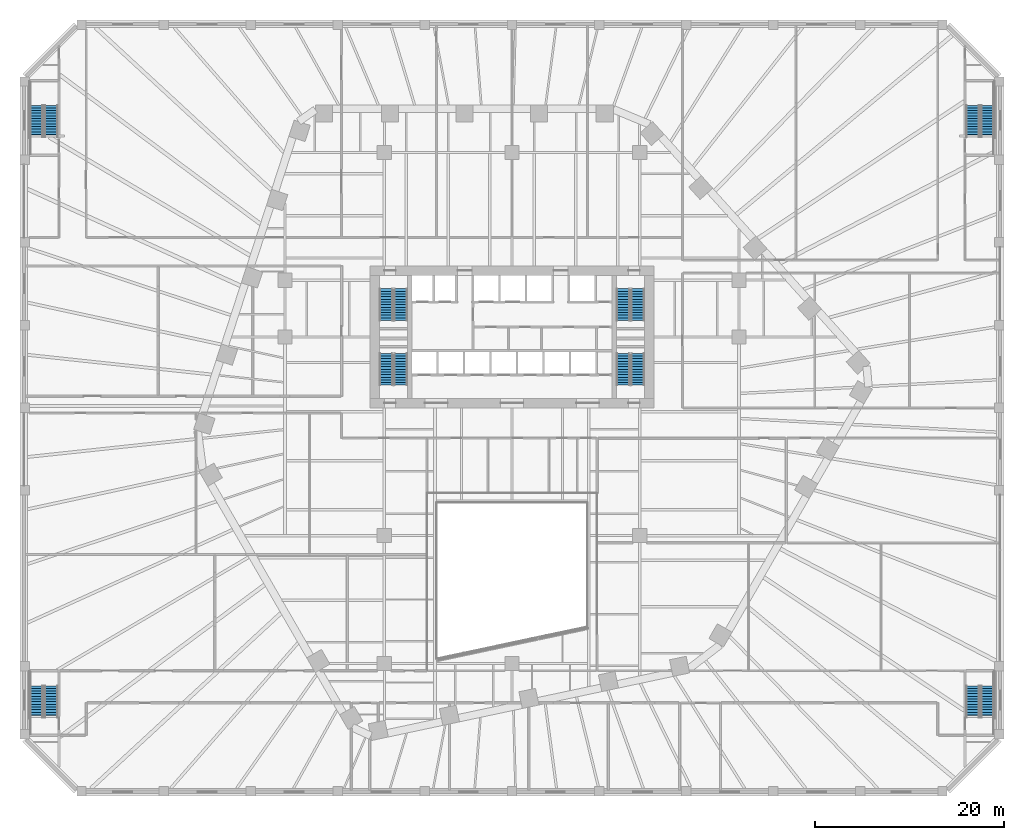
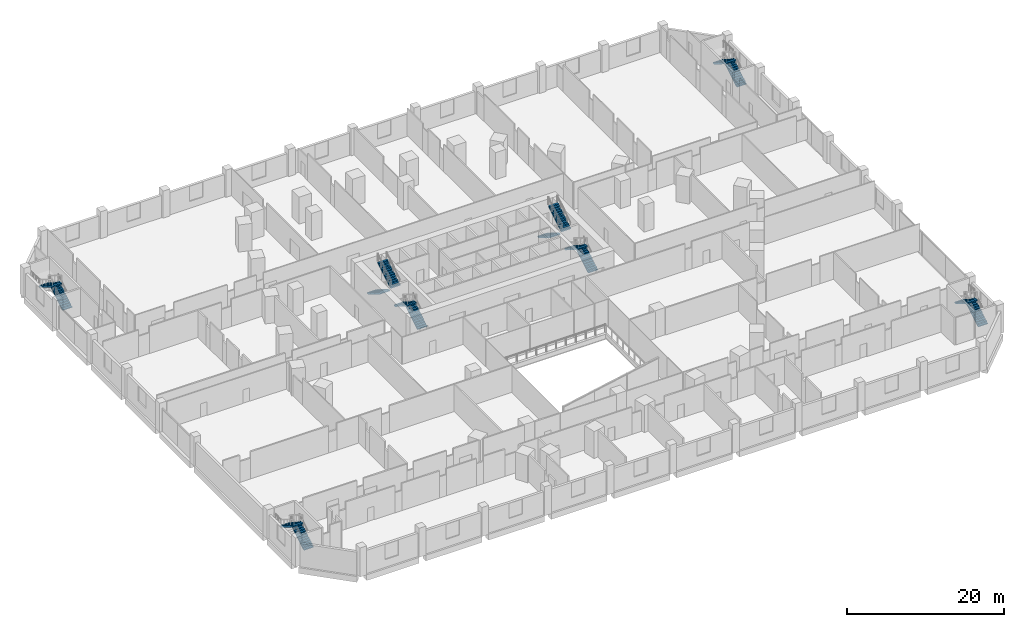
# One storey, part 24 of 29: 16 stair flights, 8 elements without a shape of their own.
"""IFC4 building model written with IfcOpenShell, lengths in metres."""

from ifc_helpers import new_model, si_unit, direction, frame, origin, place, context, subcontext, project, spatial, polyline, outline, extrude, material, type_object, element, aggregate, save


model = new_model("IFC4")

# Units and contexts
model_context = context("Model", 3, precision=1e-05, world=origin(), true_north=direction((0.0, 1.0)))
body_context = subcontext(model_context, "Body", "Model", "MODEL_VIEW")
ifc_project = project(units=[si_unit("LENGTHUNIT", "METRE"), si_unit("AREAUNIT", "SQUARE_METRE"), si_unit("VOLUMEUNIT", "CUBIC_METRE"), si_unit("PLANEANGLEUNIT", "RADIAN"), si_unit("MASSUNIT", "GRAM", prefix="KILO")], contexts=[model_context])

# Site, building, storey
site_placement = place(None, origin())
site = spatial("IfcSite", under=ifc_project, at=site_placement, CompositionType="ELEMENT")
building_placement = place(site_placement, origin())
building = spatial("IfcBuilding", under=site, at=building_placement, Name="Isthmus Gate Tower", CompositionType="ELEMENT")
storey_placement = place(building_placement, frame((0.0, 0.0, 27.0)))
storey = spatial("IfcBuildingStorey", under=building, at=storey_placement, Name="L04", CompositionType="ELEMENT", Elevation=27.0)

# Stair, stair flights
ifc_material_1 = material(Name="Concrete f'c 40 MPa", Category="concrete")
stair_type_1 = type_object("IfcStairType", Name="Podium exit stair 1400 wide flights", PredefinedType="HALF_TURN_STAIR", material=ifc_material_1)
stair_1_placement = place(storey_placement, origin())
stair_1 = element("IfcStair", 1, at=stair_1_placement, inside=storey, type_object=stair_type_1, Name="L04 Podium Exit Stair ST3", PredefinedType="HALF_TURN_STAIR")
ifc_material_2 = material(Name="Concrete f'c 40 MPa", Category="concrete")
stair_flight_type_1 = type_object("IfcStairFlightType", Name="Podium stair flight 1400", PredefinedType="STRAIGHT", material=ifc_material_2)
stair_flight_1_placement = place(storey_placement, frame((-48.699951171875, -32.72509765625, 0.0), z_axis=(0.0, 0.0, 1.0), x_axis=(0.0, 1.0, 0.0)))
stair_flight_1 = element("IfcStairFlight", 2, at=stair_flight_1_placement, type_object=stair_flight_type_1, Name="ST3 flight 1", NumberOfRisers=13, NumberOfTreads=12, PredefinedType="STRAIGHT", RiserHeight=0.173076923, TreadLength=0.28, context=body_context, shape_type="SweptSolid", body=[
    extrude(outline(polyline([(0.0, 0.0), (0.0, 0.173095703125), (0.280029296875, 0.173095703125), (0.280029296875, 0.34619140625), (0.56005859375, 0.34619140625), (0.56005859375, 0.519287109375), (0.840087890625, 0.519287109375), (0.840087890625, 0.6923828125), (1.1201171875, 0.6923828125), (1.1201171875, 0.865478515625), (1.39990234375, 0.865478515625), (1.39990234375, 1.03857421875), (1.679931640625, 1.03857421875), (1.679931640625, 1.21142578125), (1.9599609375, 1.21142578125), (1.9599609375, 1.384521484375), (2.239990234375, 1.384521484375), (2.239990234375, 1.5576171875), (2.52001953125, 1.5576171875), (2.52001953125, 1.730712890625), (2.800048828125, 1.730712890625), (2.800048828125, 1.90380859375), (3.080078125, 1.90380859375), (3.080078125, 2.076904296875), (3.360107421875, 2.076904296875), (3.360107421875, 2.25), (3.360107421875, 1.900634765625), (0.28515625, 0.0), (0.0, 0.0)])), frame((0.0, 0.699951171875, 0.0), z_axis=(0.0, -1.0, 0.0), x_axis=(1.0, 0.0, 0.0)), (0.0, 0.0, 1.0), 1.39990234375),
])
stair_flight_2_placement = place(storey_placement, frame((-50.25, -29.364990234375, 2.25), z_axis=(0.0, 0.0, 1.0), x_axis=(0.0, -1.0, 0.0)))
stair_flight_2 = element("IfcStairFlight", 3, at=stair_flight_2_placement, type_object=stair_flight_type_1, Name="ST3 flight 2", NumberOfRisers=13, NumberOfTreads=12, PredefinedType="STRAIGHT", RiserHeight=0.173076923, TreadLength=0.28, context=body_context, shape_type="SweptSolid", body=[
    extrude(outline(polyline([(0.0, 0.0), (0.0, 0.173095703125), (0.280029296875, 0.173095703125), (0.280029296875, 0.34619140625), (0.56005859375, 0.34619140625), (0.56005859375, 0.519287109375), (0.840087890625, 0.519287109375), (0.840087890625, 0.6923828125), (1.1201171875, 0.6923828125), (1.1201171875, 0.865478515625), (1.39990234375, 0.865478515625), (1.39990234375, 1.03857421875), (1.679931640625, 1.03857421875), (1.679931640625, 1.21142578125), (1.9599609375, 1.21142578125), (1.9599609375, 1.384521484375), (2.239990234375, 1.384521484375), (2.239990234375, 1.5576171875), (2.52001953125, 1.5576171875), (2.52001953125, 1.730712890625), (2.800048828125, 1.730712890625), (2.800048828125, 1.90380859375), (3.080078125, 1.90380859375), (3.080078125, 2.076904296875), (3.360107421875, 2.076904296875), (3.360107421875, 2.25), (3.360107421875, 1.900634765625), (0.28515625, 0.0), (0.0, 0.0)])), frame((0.0, 0.699951171875, 0.0), z_axis=(0.0, -1.0, 0.0), x_axis=(1.0, 0.0, 0.0)), (0.0, 0.0, 1.0), 1.39990234375),
])
aggregate(stair_1, [stair_flight_1, stair_flight_2])

stair_2_placement = place(storey_placement, origin())
stair_2 = element("IfcStair", 4, at=stair_2_placement, inside=storey, type_object=stair_type_1, Name="L04 Podium Exit Stair ST4", PredefinedType="HALF_TURN_STAIR")
stair_flight_3_placement = place(storey_placement, frame((50.25, -32.72509765625, 0.0), z_axis=(0.0, 0.0, 1.0), x_axis=(0.0, 1.0, 0.0)))
stair_flight_3 = element("IfcStairFlight", 5, at=stair_flight_3_placement, type_object=stair_flight_type_1, Name="ST4 flight 1", NumberOfRisers=13, NumberOfTreads=12, PredefinedType="STRAIGHT", RiserHeight=0.173076923, TreadLength=0.28, context=body_context, shape_type="SweptSolid", body=[
    extrude(outline(polyline([(0.0, 0.0), (0.0, 0.173095703125), (0.280029296875, 0.173095703125), (0.280029296875, 0.34619140625), (0.56005859375, 0.34619140625), (0.56005859375, 0.519287109375), (0.840087890625, 0.519287109375), (0.840087890625, 0.6923828125), (1.1201171875, 0.6923828125), (1.1201171875, 0.865478515625), (1.39990234375, 0.865478515625), (1.39990234375, 1.03857421875), (1.679931640625, 1.03857421875), (1.679931640625, 1.21142578125), (1.9599609375, 1.21142578125), (1.9599609375, 1.384521484375), (2.239990234375, 1.384521484375), (2.239990234375, 1.5576171875), (2.52001953125, 1.5576171875), (2.52001953125, 1.730712890625), (2.800048828125, 1.730712890625), (2.800048828125, 1.90380859375), (3.080078125, 1.90380859375), (3.080078125, 2.076904296875), (3.360107421875, 2.076904296875), (3.360107421875, 2.25), (3.360107421875, 1.900634765625), (0.28515625, 0.0), (0.0, 0.0)])), frame((0.0, 0.699951171875, 0.0), z_axis=(0.0, -1.0, 0.0), x_axis=(1.0, 0.0, 0.0)), (0.0, 0.0, 1.0), 1.39990234375),
])
stair_flight_4_placement = place(storey_placement, frame((48.699951171875, -29.364990234375, 2.25), z_axis=(0.0, 0.0, 1.0), x_axis=(0.0, -1.0, 0.0)))
stair_flight_4 = element("IfcStairFlight", 6, at=stair_flight_4_placement, type_object=stair_flight_type_1, Name="ST4 flight 2", NumberOfRisers=13, NumberOfTreads=12, PredefinedType="STRAIGHT", RiserHeight=0.173076923, TreadLength=0.28, context=body_context, shape_type="SweptSolid", body=[
    extrude(outline(polyline([(0.0, 0.0), (0.0, 0.173095703125), (0.280029296875, 0.173095703125), (0.280029296875, 0.34619140625), (0.56005859375, 0.34619140625), (0.56005859375, 0.519287109375), (0.840087890625, 0.519287109375), (0.840087890625, 0.6923828125), (1.1201171875, 0.6923828125), (1.1201171875, 0.865478515625), (1.39990234375, 0.865478515625), (1.39990234375, 1.03857421875), (1.679931640625, 1.03857421875), (1.679931640625, 1.21142578125), (1.9599609375, 1.21142578125), (1.9599609375, 1.384521484375), (2.239990234375, 1.384521484375), (2.239990234375, 1.5576171875), (2.52001953125, 1.5576171875), (2.52001953125, 1.730712890625), (2.800048828125, 1.730712890625), (2.800048828125, 1.90380859375), (3.080078125, 1.90380859375), (3.080078125, 2.076904296875), (3.360107421875, 2.076904296875), (3.360107421875, 2.25), (3.360107421875, 1.900634765625), (0.28515625, 0.0), (0.0, 0.0)])), frame((0.0, 0.699951171875, 0.0), z_axis=(0.0, -1.0, 0.0), x_axis=(1.0, 0.0, 0.0)), (0.0, 0.0, 1.0), 1.39990234375),
])
aggregate(stair_2, [stair_flight_3, stair_flight_4])

stair_3_placement = place(storey_placement, origin())
stair_3 = element("IfcStair", 7, at=stair_3_placement, inside=storey, type_object=stair_type_1, Name="L04 Podium Exit Stair ST5", PredefinedType="HALF_TURN_STAIR")
stair_flight_5_placement = place(storey_placement, frame((50.25, 28.625, 0.0), z_axis=(0.0, 0.0, 1.0), x_axis=(0.0, 1.0, 0.0)))
stair_flight_5 = element("IfcStairFlight", 8, at=stair_flight_5_placement, type_object=stair_flight_type_1, Name="ST5 flight 1", NumberOfRisers=13, NumberOfTreads=12, PredefinedType="STRAIGHT", RiserHeight=0.173076923, TreadLength=0.28, context=body_context, shape_type="SweptSolid", body=[
    extrude(outline(polyline([(0.0, 0.0), (0.0, 0.173095703125), (0.280029296875, 0.173095703125), (0.280029296875, 0.34619140625), (0.56005859375, 0.34619140625), (0.56005859375, 0.519287109375), (0.840087890625, 0.519287109375), (0.840087890625, 0.6923828125), (1.1201171875, 0.6923828125), (1.1201171875, 0.865478515625), (1.39990234375, 0.865478515625), (1.39990234375, 1.03857421875), (1.679931640625, 1.03857421875), (1.679931640625, 1.21142578125), (1.9599609375, 1.21142578125), (1.9599609375, 1.384521484375), (2.239990234375, 1.384521484375), (2.239990234375, 1.5576171875), (2.52001953125, 1.5576171875), (2.52001953125, 1.730712890625), (2.800048828125, 1.730712890625), (2.800048828125, 1.90380859375), (3.080078125, 1.90380859375), (3.080078125, 2.076904296875), (3.360107421875, 2.076904296875), (3.360107421875, 2.25), (3.360107421875, 1.900634765625), (0.28515625, 0.0), (0.0, 0.0)])), frame((0.0, 0.699951171875, 0.0), z_axis=(0.0, -1.0, 0.0), x_axis=(1.0, 0.0, 0.0)), (0.0, 0.0, 1.0), 1.39990234375),
])
stair_flight_6_placement = place(storey_placement, frame((48.699951171875, 31.985107421875, 2.25), z_axis=(0.0, 0.0, 1.0), x_axis=(0.0, -1.0, 0.0)))
stair_flight_6 = element("IfcStairFlight", 9, at=stair_flight_6_placement, type_object=stair_flight_type_1, Name="ST5 flight 2", NumberOfRisers=13, NumberOfTreads=12, PredefinedType="STRAIGHT", RiserHeight=0.173076923, TreadLength=0.28, context=body_context, shape_type="SweptSolid", body=[
    extrude(outline(polyline([(0.0, 0.0), (0.0, 0.173095703125), (0.280029296875, 0.173095703125), (0.280029296875, 0.34619140625), (0.56005859375, 0.34619140625), (0.56005859375, 0.519287109375), (0.840087890625, 0.519287109375), (0.840087890625, 0.6923828125), (1.1201171875, 0.6923828125), (1.1201171875, 0.865478515625), (1.39990234375, 0.865478515625), (1.39990234375, 1.03857421875), (1.679931640625, 1.03857421875), (1.679931640625, 1.21142578125), (1.9599609375, 1.21142578125), (1.9599609375, 1.384521484375), (2.239990234375, 1.384521484375), (2.239990234375, 1.5576171875), (2.52001953125, 1.5576171875), (2.52001953125, 1.730712890625), (2.800048828125, 1.730712890625), (2.800048828125, 1.90380859375), (3.080078125, 1.90380859375), (3.080078125, 2.076904296875), (3.360107421875, 2.076904296875), (3.360107421875, 2.25), (3.360107421875, 1.900634765625), (0.28515625, 0.0), (0.0, 0.0)])), frame((0.0, 0.699951171875, 0.0), z_axis=(0.0, -1.0, 0.0), x_axis=(1.0, 0.0, 0.0)), (0.0, 0.0, 1.0), 1.39990234375),
])
aggregate(stair_3, [stair_flight_5, stair_flight_6])

stair_4_placement = place(storey_placement, origin())
stair_4 = element("IfcStair", 10, at=stair_4_placement, inside=storey, type_object=stair_type_1, Name="L04 Podium Exit Stair ST6", PredefinedType="HALF_TURN_STAIR")
stair_flight_7_placement = place(storey_placement, frame((-48.699951171875, 28.625, 0.0), z_axis=(0.0, 0.0, 1.0), x_axis=(0.0, 1.0, 0.0)))
stair_flight_7 = element("IfcStairFlight", 11, at=stair_flight_7_placement, type_object=stair_flight_type_1, Name="ST6 flight 1", NumberOfRisers=13, NumberOfTreads=12, PredefinedType="STRAIGHT", RiserHeight=0.173076923, TreadLength=0.28, context=body_context, shape_type="SweptSolid", body=[
    extrude(outline(polyline([(0.0, 0.0), (0.0, 0.173095703125), (0.280029296875, 0.173095703125), (0.280029296875, 0.34619140625), (0.56005859375, 0.34619140625), (0.56005859375, 0.519287109375), (0.840087890625, 0.519287109375), (0.840087890625, 0.6923828125), (1.1201171875, 0.6923828125), (1.1201171875, 0.865478515625), (1.39990234375, 0.865478515625), (1.39990234375, 1.03857421875), (1.679931640625, 1.03857421875), (1.679931640625, 1.21142578125), (1.9599609375, 1.21142578125), (1.9599609375, 1.384521484375), (2.239990234375, 1.384521484375), (2.239990234375, 1.5576171875), (2.52001953125, 1.5576171875), (2.52001953125, 1.730712890625), (2.800048828125, 1.730712890625), (2.800048828125, 1.90380859375), (3.080078125, 1.90380859375), (3.080078125, 2.076904296875), (3.360107421875, 2.076904296875), (3.360107421875, 2.25), (3.360107421875, 1.900634765625), (0.28515625, 0.0), (0.0, 0.0)])), frame((0.0, 0.699951171875, 0.0), z_axis=(0.0, -1.0, 0.0), x_axis=(1.0, 0.0, 0.0)), (0.0, 0.0, 1.0), 1.39990234375),
])
stair_flight_8_placement = place(storey_placement, frame((-50.25, 31.985107421875, 2.25), z_axis=(0.0, 0.0, 1.0), x_axis=(0.0, -1.0, 0.0)))
stair_flight_8 = element("IfcStairFlight", 12, at=stair_flight_8_placement, type_object=stair_flight_type_1, Name="ST6 flight 2", NumberOfRisers=13, NumberOfTreads=12, PredefinedType="STRAIGHT", RiserHeight=0.173076923, TreadLength=0.28, context=body_context, shape_type="SweptSolid", body=[
    extrude(outline(polyline([(0.0, 0.0), (0.0, 0.173095703125), (0.280029296875, 0.173095703125), (0.280029296875, 0.34619140625), (0.56005859375, 0.34619140625), (0.56005859375, 0.519287109375), (0.840087890625, 0.519287109375), (0.840087890625, 0.6923828125), (1.1201171875, 0.6923828125), (1.1201171875, 0.865478515625), (1.39990234375, 0.865478515625), (1.39990234375, 1.03857421875), (1.679931640625, 1.03857421875), (1.679931640625, 1.21142578125), (1.9599609375, 1.21142578125), (1.9599609375, 1.384521484375), (2.239990234375, 1.384521484375), (2.239990234375, 1.5576171875), (2.52001953125, 1.5576171875), (2.52001953125, 1.730712890625), (2.800048828125, 1.730712890625), (2.800048828125, 1.90380859375), (3.080078125, 1.90380859375), (3.080078125, 2.076904296875), (3.360107421875, 2.076904296875), (3.360107421875, 2.25), (3.360107421875, 1.900634765625), (0.28515625, 0.0), (0.0, 0.0)])), frame((0.0, 0.699951171875, 0.0), z_axis=(0.0, -1.0, 0.0), x_axis=(1.0, 0.0, 0.0)), (0.0, 0.0, 1.0), 1.39990234375),
])
aggregate(stair_4, [stair_flight_7, stair_flight_8])

ifc_material_3 = material(Name="Concrete f'c 40 MPa", Category="concrete")
stair_type_2 = type_object("IfcStairType", Name="CORE STAIR 26 RISERS", PredefinedType="HALF_TURN_STAIR", material=ifc_material_3)
stair_5_placement = place(storey_placement, origin())
stair_5 = element("IfcStair", 13, at=stair_5_placement, inside=storey, type_object=stair_type_2, Name="L04 Exit Stair 1", PredefinedType="HALF_TURN_STAIR")
ifc_material_4 = material(Name="Concrete f'c 40 MPa", Category="concrete")
stair_flight_type_2 = type_object("IfcStairFlightType", Name="STAIR FLIGHT RC 1400", PredefinedType="STRAIGHT", material=ifc_material_4)
stair_flight_9_placement = place(storey_placement, frame((-13.300048828125, 12.60009765625, 0.0), z_axis=(0.0, 0.0, 1.0), x_axis=(0.0, -1.0, 0.0)))
stair_flight_9 = element("IfcStairFlight", 14, at=stair_flight_9_placement, type_object=stair_flight_type_2, Name="ST1 flight 1", NumberOfRisers=13, NumberOfTreads=12, PredefinedType="STRAIGHT", RiserHeight=0.173076923, TreadLength=0.28, context=body_context, shape_type="SweptSolid", body=[
    extrude(outline(polyline([(0.0, 0.0), (0.0, 0.173095703125), (0.280029296875, 0.173095703125), (0.280029296875, 0.34619140625), (0.56005859375, 0.34619140625), (0.56005859375, 0.519287109375), (0.840087890625, 0.519287109375), (0.840087890625, 0.6923828125), (1.1201171875, 0.6923828125), (1.1201171875, 0.865478515625), (1.39990234375, 0.865478515625), (1.39990234375, 1.03857421875), (1.679931640625, 1.03857421875), (1.679931640625, 1.21142578125), (1.9599609375, 1.21142578125), (1.9599609375, 1.384521484375), (2.239990234375, 1.384521484375), (2.239990234375, 1.5576171875), (2.52001953125, 1.5576171875), (2.52001953125, 1.730712890625), (2.800048828125, 1.730712890625), (2.800048828125, 1.90380859375), (3.080078125, 1.90380859375), (3.080078125, 2.076904296875), (3.360107421875, 2.076904296875), (3.360107421875, 2.25), (3.360107421875, 1.900634765625), (0.28515625, 0.0), (0.0, 0.0)])), frame((0.0, 0.699951171875, 0.0), z_axis=(0.0, -1.0, 0.0), x_axis=(1.0, 0.0, 0.0)), (0.0, 0.0, 1.0), 1.39990234375),
])
stair_flight_10_placement = place(storey_placement, frame((-11.75, 9.239990234375, 2.25), z_axis=(0.0, 0.0, 1.0), x_axis=(0.0, 1.0, 0.0)))
stair_flight_10 = element("IfcStairFlight", 15, at=stair_flight_10_placement, type_object=stair_flight_type_2, Name="ST1 flight 2", NumberOfRisers=13, NumberOfTreads=12, PredefinedType="STRAIGHT", RiserHeight=0.173076923, TreadLength=0.28, context=body_context, shape_type="SweptSolid", body=[
    extrude(outline(polyline([(0.0, 0.0), (0.0, 0.173095703125), (0.280029296875, 0.173095703125), (0.280029296875, 0.34619140625), (0.56005859375, 0.34619140625), (0.56005859375, 0.519287109375), (0.840087890625, 0.519287109375), (0.840087890625, 0.6923828125), (1.1201171875, 0.6923828125), (1.1201171875, 0.865478515625), (1.39990234375, 0.865478515625), (1.39990234375, 1.03857421875), (1.679931640625, 1.03857421875), (1.679931640625, 1.21142578125), (1.9599609375, 1.21142578125), (1.9599609375, 1.384521484375), (2.239990234375, 1.384521484375), (2.239990234375, 1.5576171875), (2.52001953125, 1.5576171875), (2.52001953125, 1.730712890625), (2.800048828125, 1.730712890625), (2.800048828125, 1.90380859375), (3.080078125, 1.90380859375), (3.080078125, 2.076904296875), (3.360107421875, 2.076904296875), (3.360107421875, 2.25), (3.360107421875, 1.900634765625), (0.28515625, 0.0), (0.0, 0.0)])), frame((0.0, 0.699951171875, 0.0), z_axis=(0.0, -1.0, 0.0), x_axis=(1.0, 0.0, 0.0)), (0.0, 0.0, 1.0), 1.39990234375),
])
aggregate(stair_5, [stair_flight_9, stair_flight_10])

stair_6_placement = place(storey_placement, origin())
stair_6 = element("IfcStair", 16, at=stair_6_placement, inside=storey, type_object=stair_type_2, Name="L04 Exit Stair 2", PredefinedType="HALF_TURN_STAIR")
stair_flight_11_placement = place(storey_placement, frame((11.75, 12.60009765625, 0.0), z_axis=(0.0, 0.0, 1.0), x_axis=(0.0, -1.0, 0.0)))
stair_flight_11 = element("IfcStairFlight", 17, at=stair_flight_11_placement, type_object=stair_flight_type_2, Name="ST2 flight 1", NumberOfRisers=13, NumberOfTreads=12, PredefinedType="STRAIGHT", RiserHeight=0.173076923, TreadLength=0.28, context=body_context, shape_type="SweptSolid", body=[
    extrude(outline(polyline([(0.0, 0.0), (0.0, 0.173095703125), (0.280029296875, 0.173095703125), (0.280029296875, 0.34619140625), (0.56005859375, 0.34619140625), (0.56005859375, 0.519287109375), (0.840087890625, 0.519287109375), (0.840087890625, 0.6923828125), (1.1201171875, 0.6923828125), (1.1201171875, 0.865478515625), (1.39990234375, 0.865478515625), (1.39990234375, 1.03857421875), (1.679931640625, 1.03857421875), (1.679931640625, 1.21142578125), (1.9599609375, 1.21142578125), (1.9599609375, 1.384521484375), (2.239990234375, 1.384521484375), (2.239990234375, 1.5576171875), (2.52001953125, 1.5576171875), (2.52001953125, 1.730712890625), (2.800048828125, 1.730712890625), (2.800048828125, 1.90380859375), (3.080078125, 1.90380859375), (3.080078125, 2.076904296875), (3.360107421875, 2.076904296875), (3.360107421875, 2.25), (3.360107421875, 1.900634765625), (0.28515625, 0.0), (0.0, 0.0)])), frame((0.0, 0.699951171875, 0.0), z_axis=(0.0, -1.0, 0.0), x_axis=(1.0, 0.0, 0.0)), (0.0, 0.0, 1.0), 1.39990234375),
])
stair_flight_12_placement = place(storey_placement, frame((13.300048828125, 9.239990234375, 2.25), z_axis=(0.0, 0.0, 1.0), x_axis=(0.0, 1.0, 0.0)))
stair_flight_12 = element("IfcStairFlight", 18, at=stair_flight_12_placement, type_object=stair_flight_type_2, Name="ST2 flight 2", NumberOfRisers=13, NumberOfTreads=12, PredefinedType="STRAIGHT", RiserHeight=0.173076923, TreadLength=0.28, context=body_context, shape_type="SweptSolid", body=[
    extrude(outline(polyline([(0.0, 0.0), (0.0, 0.173095703125), (0.280029296875, 0.173095703125), (0.280029296875, 0.34619140625), (0.56005859375, 0.34619140625), (0.56005859375, 0.519287109375), (0.840087890625, 0.519287109375), (0.840087890625, 0.6923828125), (1.1201171875, 0.6923828125), (1.1201171875, 0.865478515625), (1.39990234375, 0.865478515625), (1.39990234375, 1.03857421875), (1.679931640625, 1.03857421875), (1.679931640625, 1.21142578125), (1.9599609375, 1.21142578125), (1.9599609375, 1.384521484375), (2.239990234375, 1.384521484375), (2.239990234375, 1.5576171875), (2.52001953125, 1.5576171875), (2.52001953125, 1.730712890625), (2.800048828125, 1.730712890625), (2.800048828125, 1.90380859375), (3.080078125, 1.90380859375), (3.080078125, 2.076904296875), (3.360107421875, 2.076904296875), (3.360107421875, 2.25), (3.360107421875, 1.900634765625), (0.28515625, 0.0), (0.0, 0.0)])), frame((0.0, 0.699951171875, 0.0), z_axis=(0.0, -1.0, 0.0), x_axis=(1.0, 0.0, 0.0)), (0.0, 0.0, 1.0), 1.39990234375),
])
aggregate(stair_6, [stair_flight_11, stair_flight_12])

stair_7_placement = place(storey_placement, origin())
stair_7 = element("IfcStair", 19, at=stair_7_placement, inside=storey, type_object=stair_type_2, Name="L04 Exit Stair 7", PredefinedType="HALF_TURN_STAIR")
stair_flight_13_placement = place(storey_placement, frame((-11.75, 2.39990234375, 0.0), z_axis=(0.0, 0.0, 1.0), x_axis=(0.0, 1.0, 0.0)))
stair_flight_13 = element("IfcStairFlight", 20, at=stair_flight_13_placement, type_object=stair_flight_type_2, Name="ST7 flight 1", NumberOfRisers=13, NumberOfTreads=12, PredefinedType="STRAIGHT", RiserHeight=0.173076923, TreadLength=0.28, context=body_context, shape_type="SweptSolid", body=[
    extrude(outline(polyline([(0.0, 0.0), (0.0, 0.173095703125), (0.280029296875, 0.173095703125), (0.280029296875, 0.34619140625), (0.56005859375, 0.34619140625), (0.56005859375, 0.519287109375), (0.840087890625, 0.519287109375), (0.840087890625, 0.6923828125), (1.1201171875, 0.6923828125), (1.1201171875, 0.865478515625), (1.39990234375, 0.865478515625), (1.39990234375, 1.03857421875), (1.679931640625, 1.03857421875), (1.679931640625, 1.21142578125), (1.9599609375, 1.21142578125), (1.9599609375, 1.384521484375), (2.239990234375, 1.384521484375), (2.239990234375, 1.5576171875), (2.52001953125, 1.5576171875), (2.52001953125, 1.730712890625), (2.800048828125, 1.730712890625), (2.800048828125, 1.90380859375), (3.080078125, 1.90380859375), (3.080078125, 2.076904296875), (3.360107421875, 2.076904296875), (3.360107421875, 2.25), (3.360107421875, 1.900634765625), (0.28515625, 0.0), (0.0, 0.0)])), frame((0.0, 0.699951171875, 0.0), z_axis=(0.0, -1.0, 0.0), x_axis=(1.0, 0.0, 0.0)), (0.0, 0.0, 1.0), 1.39990234375),
])
stair_flight_14_placement = place(storey_placement, frame((-13.300048828125, 5.760009765625, 2.25), z_axis=(0.0, 0.0, 1.0), x_axis=(0.0, -1.0, 0.0)))
stair_flight_14 = element("IfcStairFlight", 21, at=stair_flight_14_placement, type_object=stair_flight_type_2, Name="ST7 flight 2", NumberOfRisers=13, NumberOfTreads=12, PredefinedType="STRAIGHT", RiserHeight=0.173076923, TreadLength=0.28, context=body_context, shape_type="SweptSolid", body=[
    extrude(outline(polyline([(0.0, 0.0), (0.0, 0.173095703125), (0.280029296875, 0.173095703125), (0.280029296875, 0.34619140625), (0.56005859375, 0.34619140625), (0.56005859375, 0.519287109375), (0.840087890625, 0.519287109375), (0.840087890625, 0.6923828125), (1.1201171875, 0.6923828125), (1.1201171875, 0.865478515625), (1.39990234375, 0.865478515625), (1.39990234375, 1.03857421875), (1.679931640625, 1.03857421875), (1.679931640625, 1.21142578125), (1.9599609375, 1.21142578125), (1.9599609375, 1.384521484375), (2.239990234375, 1.384521484375), (2.239990234375, 1.5576171875), (2.52001953125, 1.5576171875), (2.52001953125, 1.730712890625), (2.800048828125, 1.730712890625), (2.800048828125, 1.90380859375), (3.080078125, 1.90380859375), (3.080078125, 2.076904296875), (3.360107421875, 2.076904296875), (3.360107421875, 2.25), (3.360107421875, 1.900634765625), (0.28515625, 0.0), (0.0, 0.0)])), frame((0.0, 0.699951171875, 0.0), z_axis=(0.0, -1.0, 0.0), x_axis=(1.0, 0.0, 0.0)), (0.0, 0.0, 1.0), 1.39990234375),
])
aggregate(stair_7, [stair_flight_13, stair_flight_14])

stair_8_placement = place(storey_placement, origin())
stair_8 = element("IfcStair", 22, at=stair_8_placement, inside=storey, type_object=stair_type_2, Name="L04 Exit Stair 8", PredefinedType="HALF_TURN_STAIR")
stair_flight_15_placement = place(storey_placement, frame((13.300048828125, 2.39990234375, 0.0), z_axis=(0.0, 0.0, 1.0), x_axis=(0.0, 1.0, 0.0)))
stair_flight_15 = element("IfcStairFlight", 23, at=stair_flight_15_placement, type_object=stair_flight_type_2, Name="ST8 flight 1", NumberOfRisers=13, NumberOfTreads=12, PredefinedType="STRAIGHT", RiserHeight=0.173076923, TreadLength=0.28, context=body_context, shape_type="SweptSolid", body=[
    extrude(outline(polyline([(0.0, 0.0), (0.0, 0.173095703125), (0.280029296875, 0.173095703125), (0.280029296875, 0.34619140625), (0.56005859375, 0.34619140625), (0.56005859375, 0.519287109375), (0.840087890625, 0.519287109375), (0.840087890625, 0.6923828125), (1.1201171875, 0.6923828125), (1.1201171875, 0.865478515625), (1.39990234375, 0.865478515625), (1.39990234375, 1.03857421875), (1.679931640625, 1.03857421875), (1.679931640625, 1.21142578125), (1.9599609375, 1.21142578125), (1.9599609375, 1.384521484375), (2.239990234375, 1.384521484375), (2.239990234375, 1.5576171875), (2.52001953125, 1.5576171875), (2.52001953125, 1.730712890625), (2.800048828125, 1.730712890625), (2.800048828125, 1.90380859375), (3.080078125, 1.90380859375), (3.080078125, 2.076904296875), (3.360107421875, 2.076904296875), (3.360107421875, 2.25), (3.360107421875, 1.900634765625), (0.28515625, 0.0), (0.0, 0.0)])), frame((0.0, 0.699951171875, 0.0), z_axis=(0.0, -1.0, 0.0), x_axis=(1.0, 0.0, 0.0)), (0.0, 0.0, 1.0), 1.39990234375),
])
stair_flight_16_placement = place(storey_placement, frame((11.75, 5.760009765625, 2.25), z_axis=(0.0, 0.0, 1.0), x_axis=(0.0, -1.0, 0.0)))
stair_flight_16 = element("IfcStairFlight", 24, at=stair_flight_16_placement, type_object=stair_flight_type_2, Name="ST8 flight 2", NumberOfRisers=13, NumberOfTreads=12, PredefinedType="STRAIGHT", RiserHeight=0.173076923, TreadLength=0.28, context=body_context, shape_type="SweptSolid", body=[
    extrude(outline(polyline([(0.0, 0.0), (0.0, 0.173095703125), (0.280029296875, 0.173095703125), (0.280029296875, 0.34619140625), (0.56005859375, 0.34619140625), (0.56005859375, 0.519287109375), (0.840087890625, 0.519287109375), (0.840087890625, 0.6923828125), (1.1201171875, 0.6923828125), (1.1201171875, 0.865478515625), (1.39990234375, 0.865478515625), (1.39990234375, 1.03857421875), (1.679931640625, 1.03857421875), (1.679931640625, 1.21142578125), (1.9599609375, 1.21142578125), (1.9599609375, 1.384521484375), (2.239990234375, 1.384521484375), (2.239990234375, 1.5576171875), (2.52001953125, 1.5576171875), (2.52001953125, 1.730712890625), (2.800048828125, 1.730712890625), (2.800048828125, 1.90380859375), (3.080078125, 1.90380859375), (3.080078125, 2.076904296875), (3.360107421875, 2.076904296875), (3.360107421875, 2.25), (3.360107421875, 1.900634765625), (0.28515625, 0.0), (0.0, 0.0)])), frame((0.0, 0.699951171875, 0.0), z_axis=(0.0, -1.0, 0.0), x_axis=(1.0, 0.0, 0.0)), (0.0, 0.0, 1.0), 1.39990234375),
])
aggregate(stair_8, [stair_flight_15, stair_flight_16])

save(model, "model.ifc")
